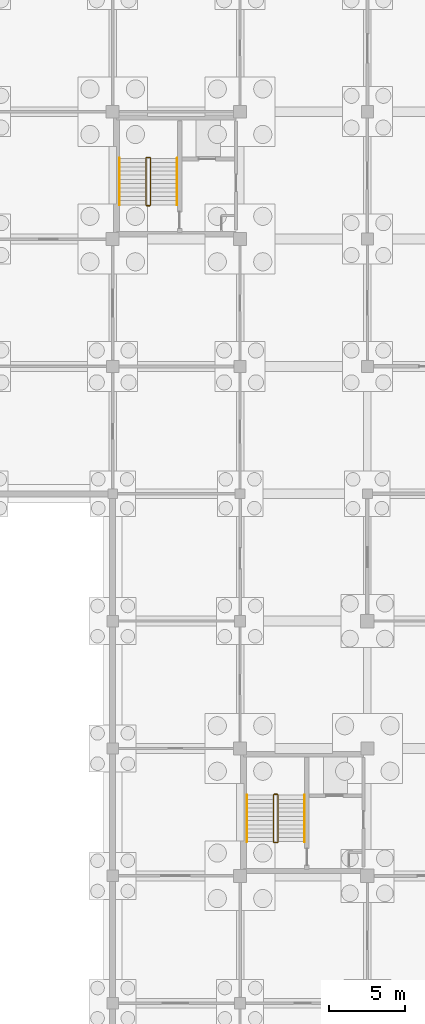
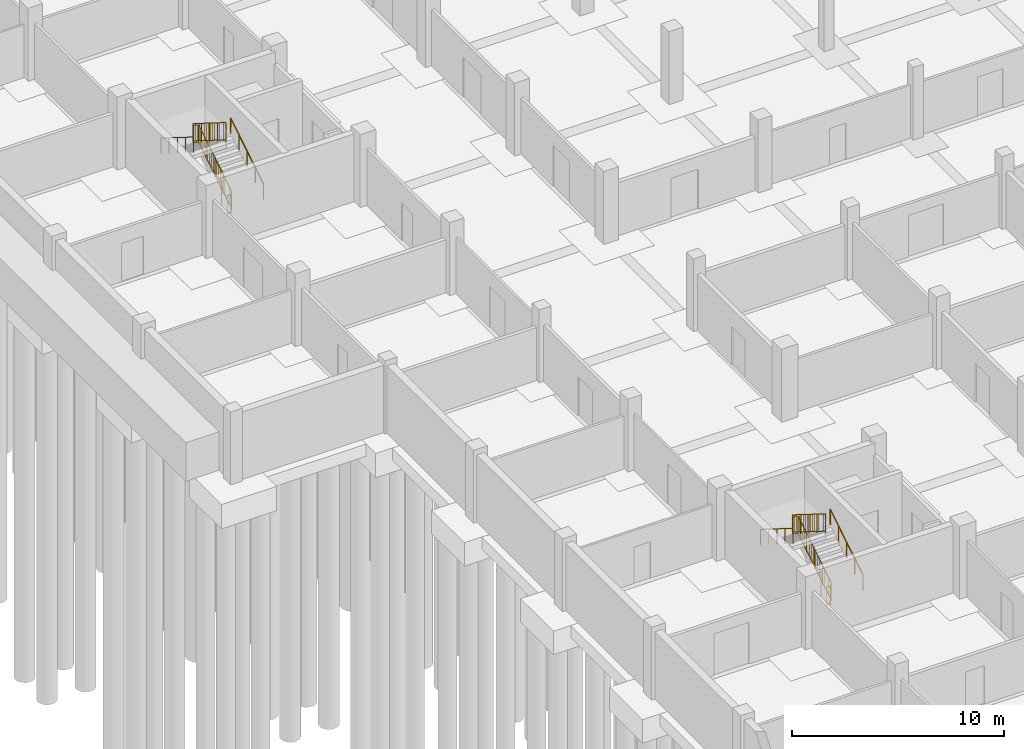
# One storey, part 39 of 43: 12 railings.
"""IFC4 building model written with IfcOpenShell, lengths in metres."""

import ifcopenshell
import ifcopenshell.guid

model = None  # the IFC model being written
_history = None  # IfcOwnerHistory: only IFC2X3 demands one
_inside = {}  # id of a spatial element -> (the spatial element, [elements in it])
_under = {}  # id of a project, library or spatial element -> (it, [spatial elements below it])
_declared = {}  # id of a project -> (the project, [libraries it declares])
_typed = {}  # id of a type object -> (the type object, [elements of that type])
_made_of = {}  # id of a material, layer set ... -> (it, [elements and type objects made of it])


def new_model(schema):
    """Start an empty IFC model of exactly this schema.

    Asked for "IFC4X3", IfcOpenShell would pick the latest addendum, in which some entities
    have other attributes; the version numbers below select the first issue.
    IFC2X3 requires an IfcOwnerHistory on every rooted entity: one is made here for all.
    """
    global model, _history
    if schema == "IFC4X3":
        model = ifcopenshell.file(schema_version=(4, 3, 0, 0))
    else:
        model = ifcopenshell.file(schema=schema)
    _inside.clear()
    _under.clear()
    _declared.clear()
    _typed.clear()
    _made_of.clear()
    _history = None
    if model.schema == "IFC2X3":
        org = make("IfcOrganization", Name="unknown")
        user = make(
            "IfcPersonAndOrganization",
            ThePerson=make("IfcPerson", FamilyName="unknown"),
            TheOrganization=org,
        )
        app = make(
            "IfcApplication",
            ApplicationDeveloper=org,
            Version="unknown",
            ApplicationFullName="unknown",
            ApplicationIdentifier="unknown",
        )
        _history = make(
            "IfcOwnerHistory",
            OwningUser=user,
            OwningApplication=app,
            ChangeAction="ADDED",
            CreationDate=0,
        )
    return model


def make(cls, **values):
    """One entity of the class cls with the attributes given. An attribute that is None is left unset."""
    return model.create_entity(
        cls, **{name: value for name, value in values.items() if value is not None}
    )


def rooted(cls, **values):
    """An entity with a GlobalId (a new one), such as an element, a storey or a relation."""
    return make(cls, GlobalId=ifcopenshell.guid.new(), OwnerHistory=_history, **values)


def si_unit(unit_type, name, prefix=None):
    """IfcSIUnit, for example si_unit("LENGTHUNIT", "METRE", prefix="MILLI")."""
    return make("IfcSIUnit", UnitType=unit_type, Prefix=prefix, Name=name)


def assignment(units):
    """IfcUnitAssignment: the units of a project."""
    return None if units is None else make("IfcUnitAssignment", Units=units)


def point(xyz):
    """IfcCartesianPoint."""
    return None if xyz is None else make("IfcCartesianPoint", Coordinates=xyz)


def direction(xyz):
    """IfcDirection."""
    return None if xyz is None else make("IfcDirection", DirectionRatios=xyz)


def frame(location, z_axis=None, x_axis=None):
    """IfcAxis2Placement3D, a coordinate frame: its origin and axes. An axis left out is left unset."""
    return make(
        "IfcAxis2Placement3D",
        Location=point(location),
        Axis=direction(z_axis),
        RefDirection=direction(x_axis),
    )


def frame_2d(location, x_axis=None):
    """IfcAxis2Placement2D, a coordinate frame in the plane: its origin and x axis."""
    return make(
        "IfcAxis2Placement2D", Location=point(location), RefDirection=direction(x_axis)
    )


def origin():
    """The frame at (0, 0, 0) with its axes left unset."""
    return frame((0.0, 0.0, 0.0))


def origin_2d():
    """The frame at (0, 0) in the plane with its x axis left unset."""
    return frame_2d((0.0, 0.0))


def place(relative_to, where):
    """IfcLocalPlacement: puts the frame where relative to a parent placement (None: the world)."""
    return make(
        "IfcLocalPlacement", PlacementRelTo=relative_to, RelativePlacement=where
    )


def context(
    kind, dimensions, precision=None, world=None, true_north=None, identifier=None
):
    """IfcGeometricRepresentationContext, for example the 3D "Model" context."""
    return make(
        "IfcGeometricRepresentationContext",
        ContextIdentifier=identifier,
        ContextType=kind,
        CoordinateSpaceDimension=dimensions,
        Precision=precision,
        WorldCoordinateSystem=world,
        TrueNorth=true_north,
    )


def subcontext(parent, identifier, kind, view, scale=None):
    """IfcGeometricRepresentationSubContext, for example "Body" below "Model"."""
    return make(
        "IfcGeometricRepresentationSubContext",
        ContextIdentifier=identifier,
        ContextType=kind,
        ParentContext=parent,
        TargetScale=scale,
        TargetView=view,
    )


def project(units=None, contexts=None):
    """IfcProject with its units and contexts."""
    return rooted(
        "IfcProject",
        Name="project",
        RepresentationContexts=contexts,
        UnitsInContext=assignment(units),
    )


def spatial(cls, under=None, at=None, **own):
    """A site, building, storey or space (cls), placed at a placement, below another one or the project."""
    s = rooted(cls, ObjectPlacement=at, **own)
    if under is not None:
        _under.setdefault(under.id(), (under, []))[1].append(s)
    return s


def profile(cls, at=None, kind="AREA", **sizes):
    """A parametric profile (cls). Its sizes go by their IFC names, for example OverallWidth=200.0."""
    return make(cls, ProfileType=kind, Position=at, **sizes)


def circle(**sizes):
    """IfcCircleProfileDef."""
    return profile("IfcCircleProfileDef", **sizes)


def extrude(swept, where, along, depth):
    """IfcExtrudedAreaSolid: the profile swept, set in the frame where, extruded along a direction by depth."""
    return make(
        "IfcExtrudedAreaSolid",
        SweptArea=swept,
        Position=where,
        ExtrudedDirection=direction(along),
        Depth=depth,
    )


def shape(context_of_items, identifier, shape_type, items):
    """IfcShapeRepresentation: the items that make up one representation, for example the "Body"."""
    return make(
        "IfcShapeRepresentation",
        ContextOfItems=context_of_items,
        RepresentationIdentifier=identifier,
        RepresentationType=shape_type,
        Items=items,
    )


def material(Name=None, Category=None):
    """IfcMaterial."""
    return make("IfcMaterial", Name=Name, Category=Category)


def made_of(thing, what):
    """Note that an element or type object is made of a material, layer set ...; save() writes the relation."""
    if what is not None:
        _made_of.setdefault(what.id(), (what, []))[1].append(thing)
    return thing


def type_object(cls, material=None, **own):
    """A type object (cls), such as IfcWallType, which elements share."""
    return made_of(rooted(cls, **own), material)


def element(
    cls,
    number,
    at=None,
    inside=None,
    cuts=None,
    type_object=None,
    material=None,
    context=None,
    identifier="Body",
    shape_type=None,
    held_by="IfcProductDefinitionShape",
    body=None,
    shapes=None,
    **own,
):
    """One element of the class cls, such as IfcWall. Its Tag is "e" and its number.

    at: its placement. inside: the storey or other place that contains it. cuts: it is an
    opening in that element (IfcRelVoidsElement). A single representation is given by context,
    identifier, shape_type and body (its items); several are given by shapes. held_by: the class
    of the entity that holds the representations. save() writes the other relations.
    """
    e = rooted(cls, Tag="e%d" % number, ObjectPlacement=at, **own)
    if body is not None:
        shapes = [shape(context, identifier, shape_type, body)]
    if shapes is not None:
        e.Representation = make(held_by, Representations=shapes)
    if inside is not None:
        _inside.setdefault(inside.id(), (inside, []))[1].append(e)
    if cuts is not None:
        rooted(
            "IfcRelVoidsElement", RelatingBuildingElement=cuts, RelatedOpeningElement=e
        )
    if type_object is not None:
        _typed.setdefault(type_object.id(), (type_object, []))[1].append(e)
    return made_of(e, material)


def aggregate(whole, parts):
    """IfcRelAggregates: a whole, such as a stair, and the parts it consists of."""
    return rooted("IfcRelAggregates", RelatingObject=whole, RelatedObjects=parts)


def save(model, path):
    """Write the relations noted so far, then the file.

    IfcRelAggregates (storeys below a building ...), IfcRelContainedInSpatialStructure (elements
    in a storey), IfcRelDefinesByType, IfcRelAssociatesMaterial and IfcRelDeclares: one each for
    every whole, place, type object, material and project.
    """
    for whole, parts in _under.values():
        aggregate(whole, parts)
    for where, things in _inside.values():
        rooted(
            "IfcRelContainedInSpatialStructure",
            RelatedElements=things,
            RelatingStructure=where,
        )
    for kind, things in _typed.values():
        rooted("IfcRelDefinesByType", RelatedObjects=things, RelatingType=kind)
    for what, things in _made_of.values():
        rooted("IfcRelAssociatesMaterial", RelatedObjects=things, RelatingMaterial=what)
    for by, libraries in _declared.values():
        rooted("IfcRelDeclares", RelatingContext=by, RelatedDefinitions=libraries)
    model.write(path)


model = new_model("IFC4")

# Units and contexts
model_context = context("Model", 3, precision=1e-05, world=origin(), true_north=direction((0.0, 1.0)))
body_context = subcontext(model_context, "Body", "Model", "MODEL_VIEW")
ifc_project = project(units=[si_unit("LENGTHUNIT", "METRE"), si_unit("AREAUNIT", "SQUARE_METRE"), si_unit("VOLUMEUNIT", "CUBIC_METRE"), si_unit("PLANEANGLEUNIT", "RADIAN"), si_unit("MASSUNIT", "GRAM", prefix="KILO")], contexts=[model_context])

# Site, building, storey
site_placement = place(None, origin())
site = spatial("IfcSite", under=ifc_project, at=site_placement, CompositionType="ELEMENT")
building_placement = place(site_placement, origin())
building = spatial("IfcBuilding", under=site, at=building_placement, Name="Varnapada Polytechnic", CompositionType="ELEMENT")
storey_placement = place(building_placement, frame((0.0, 0.0, -4.199951171875)))
storey = spatial("IfcBuildingStorey", under=building, at=storey_placement, Name="B1", CompositionType="ELEMENT", Elevation=-4.199951171875)

# Railings
ifc_material = material(Name="Brushed Stainless Steel 316", Category="steel")
railing_type_1 = type_object("IfcRailingType", Name="Stair Wall Handrail SHR-01", PredefinedType="HANDRAIL", material=ifc_material)
railing_1_placement = place(storey_placement, frame((12.64990234375, 61.050048828125, 0.175048828125)))
element("IfcRailing", 1, at=railing_1_placement, inside=storey, type_object=railing_type_1, Name="B1 ST-2 stair handrail 1", PredefinedType="HANDRAIL", context=body_context, shape_type="SweptSolid", body=[
    extrude(circle(Radius=0.02392578125, at=origin_2d()), frame((0.0, 0.0, 0.8759765625), z_axis=(0.0, 0.848009633417, 0.529980812513), x_axis=(-1.0, 0.0, 0.0)), (0.0, 0.0, 1.0), 3.6318359375),
    extrude(circle(Radius=0.02099609375, at=origin_2d()), origin(), (0.0, 0.0, 1.0), 0.851806640625),
    extrude(circle(Radius=0.02099609375, at=origin_2d()), frame((0.0, 0.77001953125, 0.481201171875)), (0.0, 0.0, 1.0), 0.851806640625),
    extrude(circle(Radius=0.02099609375, at=origin_2d()), frame((0.0, 1.5400390625, 0.96240234375)), (0.0, 0.0, 1.0), 0.851806640625),
    extrude(circle(Radius=0.02099609375, at=origin_2d()), frame((0.0, 2.309814453125, 1.443603515625)), (0.0, 0.0, 1.0), 0.851806640625),
    extrude(circle(Radius=0.02099609375, at=origin_2d()), frame((0.0, 3.079833984375, 1.9248046875)), (0.0, 0.0, 1.0), 0.851806640625),
])
railing_2_placement = place(storey_placement, frame((8.85009765625, 64.1298828125, 2.27490234375)))
element("IfcRailing", 2, at=railing_2_placement, inside=storey, type_object=railing_type_1, Name="B1 ST-2 stair handrail 2", PredefinedType="HANDRAIL", context=body_context, shape_type="SweptSolid", body=[
    extrude(circle(Radius=0.02392578125, at=origin_2d()), frame((0.0, 0.0, 0.8759765625), z_axis=(0.0, -0.847979421464, 0.530029150871), x_axis=(1.0, 0.0, 0.0)), (0.0, 0.0, 1.0), 3.632080078125),
    extrude(circle(Radius=0.02099609375, at=origin_2d()), origin(), (0.0, 0.0, 1.0), 0.851806640625),
    extrude(circle(Radius=0.02099609375, at=origin_2d()), frame((0.0, -0.77001953125, 0.481201171875)), (0.0, 0.0, 1.0), 0.851806640625),
    extrude(circle(Radius=0.02099609375, at=origin_2d()), frame((0.0, -1.5400390625, 0.96240234375)), (0.0, 0.0, 1.0), 0.851806640625),
    extrude(circle(Radius=0.02099609375, at=origin_2d()), frame((0.0, -2.309814453125, 1.44384765625)), (0.0, 0.0, 1.0), 0.851806640625),
    extrude(circle(Radius=0.02099609375, at=origin_2d()), frame((0.0, -3.079833984375, 1.925048828125)), (0.0, 0.0, 1.0), 0.851806640625),
])
railing_3_placement = place(storey_placement, frame((21.050048828125, 19.050048828125, 0.175048828125)))
element("IfcRailing", 3, at=railing_3_placement, inside=storey, type_object=railing_type_1, Name="B1 ST-3 stair handrail 1", PredefinedType="HANDRAIL", context=body_context, shape_type="SweptSolid", body=[
    extrude(circle(Radius=0.02392578125, at=origin_2d()), frame((0.0, 0.0, 0.8759765625), z_axis=(0.0, 0.848009633417, 0.529980812513), x_axis=(-1.0, 0.0, 0.0)), (0.0, 0.0, 1.0), 3.6318359375),
    extrude(circle(Radius=0.02099609375, at=origin_2d()), origin(), (0.0, 0.0, 1.0), 0.851806640625),
    extrude(circle(Radius=0.02099609375, at=origin_2d()), frame((0.0, 0.77001953125, 0.481201171875)), (0.0, 0.0, 1.0), 0.851806640625),
    extrude(circle(Radius=0.02099609375, at=origin_2d()), frame((0.0, 1.5400390625, 0.96240234375)), (0.0, 0.0, 1.0), 0.851806640625),
    extrude(circle(Radius=0.02099609375, at=origin_2d()), frame((0.0, 2.309814453125, 1.443603515625)), (0.0, 0.0, 1.0), 0.851806640625),
    extrude(circle(Radius=0.02099609375, at=origin_2d()), frame((0.0, 3.079833984375, 1.9248046875)), (0.0, 0.0, 1.0), 0.851806640625),
])
railing_4_placement = place(storey_placement, frame((17.25, 22.1298828125, 2.27490234375)))
element("IfcRailing", 4, at=railing_4_placement, inside=storey, type_object=railing_type_1, Name="B1 ST-3 stair handrail 2", PredefinedType="HANDRAIL", context=body_context, shape_type="SweptSolid", body=[
    extrude(circle(Radius=0.02392578125, at=origin_2d()), frame((0.0, 0.0, 0.8759765625), z_axis=(0.0, -0.847979421464, 0.530029150871), x_axis=(1.0, 0.0, 0.0)), (0.0, 0.0, 1.0), 3.632080078125),
    extrude(circle(Radius=0.02099609375, at=origin_2d()), origin(), (0.0, 0.0, 1.0), 0.851806640625),
    extrude(circle(Radius=0.02099609375, at=origin_2d()), frame((0.0, -0.77001953125, 0.481201171875)), (0.0, 0.0, 1.0), 0.851806640625),
    extrude(circle(Radius=0.02099609375, at=origin_2d()), frame((0.0, -1.5400390625, 0.96240234375)), (0.0, 0.0, 1.0), 0.851806640625),
    extrude(circle(Radius=0.02099609375, at=origin_2d()), frame((0.0, -2.309814453125, 1.44384765625)), (0.0, 0.0, 1.0), 0.851806640625),
    extrude(circle(Radius=0.02099609375, at=origin_2d()), frame((0.0, -3.079833984375, 1.925048828125)), (0.0, 0.0, 1.0), 0.851806640625),
])
railing_type_2 = type_object("IfcRailingType", Name="Stair Well Guard Rail SGR-01", PredefinedType="BALUSTRADE", material=ifc_material)
railing_5_placement = place(storey_placement, frame((10.89990234375, 61.050048828125, 0.175048828125)))
element("IfcRailing", 5, at=railing_5_placement, inside=storey, type_object=railing_type_2, Name="B1 ST-2 stair guard 1", PredefinedType="BALUSTRADE", context=body_context, shape_type="SweptSolid", body=[
    extrude(circle(Radius=0.02392578125, at=origin_2d()), frame((0.0, 0.0, 1.09619140625), z_axis=(0.0, 0.848009633417, 0.529980812513), x_axis=(-1.0, 0.0, 0.0)), (0.0, 0.0, 1.0), 3.6318359375),
    extrude(circle(Radius=0.02392578125, at=origin_2d()), frame((0.0, 0.0, 0.10009765625), z_axis=(0.0, 0.848009633417, 0.529980812513), x_axis=(-1.0, 0.0, 0.0)), (0.0, 0.0, 1.0), 3.6318359375),
    extrude(circle(Radius=0.02099609375, at=origin_2d()), origin(), (0.0, 0.0, 1.0), 1.072021484375),
    extrude(circle(Radius=0.02099609375, at=origin_2d()), frame((0.0, 0.77001953125, 0.481201171875)), (0.0, 0.0, 1.0), 1.072021484375),
    extrude(circle(Radius=0.02099609375, at=origin_2d()), frame((0.0, 1.5400390625, 0.96240234375)), (0.0, 0.0, 1.0), 1.072021484375),
    extrude(circle(Radius=0.02099609375, at=origin_2d()), frame((0.0, 2.309814453125, 1.443603515625)), (0.0, 0.0, 1.0), 1.072021484375),
    extrude(circle(Radius=0.02099609375, at=origin_2d()), frame((0.0, 3.079833984375, 1.9248046875)), (0.0, 0.0, 1.0), 1.072021484375),
    extrude(circle(Radius=0.010009765625, at=origin_2d()), frame((0.0, 0.205322265625, 0.228515625)), (0.0, 0.0, 1.0), 0.971923828125),
    extrude(circle(Radius=0.010009765625, at=origin_2d()), frame((0.0, 0.41064453125, 0.356689453125)), (0.0, 0.0, 1.0), 0.971923828125),
    extrude(circle(Radius=0.010009765625, at=origin_2d()), frame((0.0, 0.615966796875, 0.485107421875)), (0.0, 0.0, 1.0), 0.971923828125),
    extrude(circle(Radius=0.010009765625, at=origin_2d()), frame((0.0, 0.8212890625, 0.61328125)), (0.0, 0.0, 1.0), 0.971923828125),
    extrude(circle(Radius=0.010009765625, at=origin_2d()), frame((0.0, 1.026611328125, 0.74169921875)), (0.0, 0.0, 1.0), 0.971923828125),
    extrude(circle(Radius=0.010009765625, at=origin_2d()), frame((0.0, 1.23193359375, 0.8701171875)), (0.0, 0.0, 1.0), 0.971923828125),
    extrude(circle(Radius=0.010009765625, at=origin_2d()), frame((0.0, 1.437255859375, 0.998291015625)), (0.0, 0.0, 1.0), 0.971923828125),
    extrude(circle(Radius=0.010009765625, at=origin_2d()), frame((0.0, 1.642578125, 1.126708984375)), (0.0, 0.0, 1.0), 0.971923828125),
    extrude(circle(Radius=0.010009765625, at=origin_2d()), frame((0.0, 1.847900390625, 1.2548828125)), (0.0, 0.0, 1.0), 0.971923828125),
    extrude(circle(Radius=0.010009765625, at=origin_2d()), frame((0.0, 2.05322265625, 1.38330078125)), (0.0, 0.0, 1.0), 0.971923828125),
    extrude(circle(Radius=0.010009765625, at=origin_2d()), frame((0.0, 2.258544921875, 1.51171875)), (0.0, 0.0, 1.0), 0.971923828125),
    extrude(circle(Radius=0.010009765625, at=origin_2d()), frame((0.0, 2.4638671875, 1.639892578125)), (0.0, 0.0, 1.0), 0.971923828125),
    extrude(circle(Radius=0.010009765625, at=origin_2d()), frame((0.0, 2.669189453125, 1.768310546875)), (0.0, 0.0, 1.0), 0.971923828125),
    extrude(circle(Radius=0.010009765625, at=origin_2d()), frame((0.0, 2.87451171875, 1.896484375)), (0.0, 0.0, 1.0), 0.971923828125),
])
railing_6_placement = place(storey_placement, frame((10.85009765625, 64.179931640625, 2.099853515625)))
element("IfcRailing", 6, at=railing_6_placement, inside=storey, type_object=railing_type_2, Name="B1 ST-2 stair guard 2", PredefinedType="BALUSTRADE", context=body_context, shape_type="SweptSolid", body=[
    extrude(circle(Radius=0.02392578125, at=origin_2d()), frame((0.0, 0.0, 1.09619140625), z_axis=(-1.0, 0.0, 0.0), x_axis=(0.0, -1.0, 0.0)), (0.0, 0.0, 1.0), 0.2001953125),
    extrude(circle(Radius=0.02392578125, at=origin_2d()), frame((0.0, 0.0, 0.10009765625), z_axis=(-1.0, 0.0, 0.0), x_axis=(0.0, -1.0, 0.0)), (0.0, 0.0, 1.0), 0.2001953125),
    extrude(circle(Radius=0.02099609375, at=origin_2d()), origin(), (0.0, 0.0, 1.0), 1.072021484375),
    extrude(circle(Radius=0.02099609375, at=origin_2d()), frame((-0.2001953125, 0.0, 0.0)), (0.0, 0.0, 1.0), 1.072021484375),
])
railing_7_placement = place(storey_placement, frame((10.60009765625, 64.1298828125, 2.27490234375)))
element("IfcRailing", 7, at=railing_7_placement, inside=storey, type_object=railing_type_2, Name="B1 ST-2 stair guard 3", PredefinedType="BALUSTRADE", context=body_context, shape_type="SweptSolid", body=[
    extrude(circle(Radius=0.02392578125, at=origin_2d()), frame((0.0, 0.0, 1.09619140625), z_axis=(0.0, -0.847979421464, 0.530029150871), x_axis=(1.0, 0.0, 0.0)), (0.0, 0.0, 1.0), 3.632080078125),
    extrude(circle(Radius=0.02392578125, at=origin_2d()), frame((0.0, 0.0, 0.10009765625), z_axis=(0.0, -0.847979421464, 0.530029150871), x_axis=(1.0, 0.0, 0.0)), (0.0, 0.0, 1.0), 3.632080078125),
    extrude(circle(Radius=0.02099609375, at=origin_2d()), origin(), (0.0, 0.0, 1.0), 1.072021484375),
    extrude(circle(Radius=0.02099609375, at=origin_2d()), frame((0.0, -0.77001953125, 0.481201171875)), (0.0, 0.0, 1.0), 1.072021484375),
    extrude(circle(Radius=0.02099609375, at=origin_2d()), frame((0.0, -1.5400390625, 0.96240234375)), (0.0, 0.0, 1.0), 1.072021484375),
    extrude(circle(Radius=0.02099609375, at=origin_2d()), frame((0.0, -2.309814453125, 1.44384765625)), (0.0, 0.0, 1.0), 1.072021484375),
    extrude(circle(Radius=0.02099609375, at=origin_2d()), frame((0.0, -3.079833984375, 1.925048828125)), (0.0, 0.0, 1.0), 1.072021484375),
    extrude(circle(Radius=0.010009765625, at=origin_2d()), frame((0.0, -0.205322265625, 0.228515625)), (0.0, 0.0, 1.0), 0.971923828125),
    extrude(circle(Radius=0.010009765625, at=origin_2d()), frame((0.0, -0.41064453125, 0.356689453125)), (0.0, 0.0, 1.0), 0.971923828125),
    extrude(circle(Radius=0.010009765625, at=origin_2d()), frame((0.0, -0.615966796875, 0.485107421875)), (0.0, 0.0, 1.0), 0.971923828125),
    extrude(circle(Radius=0.010009765625, at=origin_2d()), frame((0.0, -0.8212890625, 0.613525390625)), (0.0, 0.0, 1.0), 0.971923828125),
    extrude(circle(Radius=0.010009765625, at=origin_2d()), frame((0.0, -1.026611328125, 0.74169921875)), (0.0, 0.0, 1.0), 0.971923828125),
    extrude(circle(Radius=0.010009765625, at=origin_2d()), frame((0.0, -1.23193359375, 0.8701171875)), (0.0, 0.0, 1.0), 0.971923828125),
    extrude(circle(Radius=0.010009765625, at=origin_2d()), frame((0.0, -1.437255859375, 0.99853515625)), (0.0, 0.0, 1.0), 0.971923828125),
    extrude(circle(Radius=0.010009765625, at=origin_2d()), frame((0.0, -1.642578125, 1.126708984375)), (0.0, 0.0, 1.0), 0.971923828125),
    extrude(circle(Radius=0.010009765625, at=origin_2d()), frame((0.0, -1.847900390625, 1.255126953125)), (0.0, 0.0, 1.0), 0.971923828125),
    extrude(circle(Radius=0.010009765625, at=origin_2d()), frame((0.0, -2.05322265625, 1.383544921875)), (0.0, 0.0, 1.0), 0.971923828125),
    extrude(circle(Radius=0.010009765625, at=origin_2d()), frame((0.0, -2.258544921875, 1.51171875)), (0.0, 0.0, 1.0), 0.971923828125),
    extrude(circle(Radius=0.010009765625, at=origin_2d()), frame((0.0, -2.4638671875, 1.64013671875)), (0.0, 0.0, 1.0), 0.971923828125),
    extrude(circle(Radius=0.010009765625, at=origin_2d()), frame((0.0, -2.669189453125, 1.7685546875)), (0.0, 0.0, 1.0), 0.971923828125),
    extrude(circle(Radius=0.010009765625, at=origin_2d()), frame((0.0, -2.87451171875, 1.896728515625)), (0.0, 0.0, 1.0), 0.971923828125),
])
railing_8_placement = place(storey_placement, frame((10.85009765625, 61.0, 0.0)))
element("IfcRailing", 8, at=railing_8_placement, inside=storey, type_object=railing_type_2, Name="B1 ST-2 stair guard 4", PredefinedType="BALUSTRADE", context=body_context, shape_type="SweptSolid", body=[
    extrude(circle(Radius=0.02392578125, at=origin_2d()), frame((0.0, 0.0, 1.09619140625), z_axis=(-1.0, 0.0, 0.0), x_axis=(0.0, -1.0, 0.0)), (0.0, 0.0, 1.0), 0.2001953125),
    extrude(circle(Radius=0.02392578125, at=origin_2d()), frame((0.0, 0.0, 0.10009765625), z_axis=(-1.0, 0.0, 0.0), x_axis=(0.0, -1.0, 0.0)), (0.0, 0.0, 1.0), 0.2001953125),
    extrude(circle(Radius=0.02099609375, at=origin_2d()), origin(), (0.0, 0.0, 1.0), 1.072021484375),
    extrude(circle(Radius=0.02099609375, at=origin_2d()), frame((-0.2001953125, 0.0, 0.0)), (0.0, 0.0, 1.0), 1.072021484375),
])
railing_9_placement = place(storey_placement, frame((19.300048828125, 19.050048828125, 0.175048828125)))
element("IfcRailing", 9, at=railing_9_placement, inside=storey, type_object=railing_type_2, Name="B1 ST-3 stair guard 1", PredefinedType="BALUSTRADE", context=body_context, shape_type="SweptSolid", body=[
    extrude(circle(Radius=0.02392578125, at=origin_2d()), frame((0.0, 0.0, 1.09619140625), z_axis=(0.0, 0.848009633417, 0.529980812513), x_axis=(-1.0, 0.0, 0.0)), (0.0, 0.0, 1.0), 3.6318359375),
    extrude(circle(Radius=0.02392578125, at=origin_2d()), frame((0.0, 0.0, 0.10009765625), z_axis=(0.0, 0.848009633417, 0.529980812513), x_axis=(-1.0, 0.0, 0.0)), (0.0, 0.0, 1.0), 3.6318359375),
    extrude(circle(Radius=0.02099609375, at=origin_2d()), origin(), (0.0, 0.0, 1.0), 1.072021484375),
    extrude(circle(Radius=0.02099609375, at=origin_2d()), frame((0.0, 0.77001953125, 0.481201171875)), (0.0, 0.0, 1.0), 1.072021484375),
    extrude(circle(Radius=0.02099609375, at=origin_2d()), frame((0.0, 1.5400390625, 0.96240234375)), (0.0, 0.0, 1.0), 1.072021484375),
    extrude(circle(Radius=0.02099609375, at=origin_2d()), frame((0.0, 2.309814453125, 1.443603515625)), (0.0, 0.0, 1.0), 1.072021484375),
    extrude(circle(Radius=0.02099609375, at=origin_2d()), frame((0.0, 3.079833984375, 1.9248046875)), (0.0, 0.0, 1.0), 1.072021484375),
    extrude(circle(Radius=0.010009765625, at=origin_2d()), frame((0.0, 0.205322265625, 0.228515625)), (0.0, 0.0, 1.0), 0.971923828125),
    extrude(circle(Radius=0.010009765625, at=origin_2d()), frame((0.0, 0.41064453125, 0.356689453125)), (0.0, 0.0, 1.0), 0.971923828125),
    extrude(circle(Radius=0.010009765625, at=origin_2d()), frame((0.0, 0.615966796875, 0.485107421875)), (0.0, 0.0, 1.0), 0.971923828125),
    extrude(circle(Radius=0.010009765625, at=origin_2d()), frame((0.0, 0.8212890625, 0.61328125)), (0.0, 0.0, 1.0), 0.971923828125),
    extrude(circle(Radius=0.010009765625, at=origin_2d()), frame((0.0, 1.026611328125, 0.74169921875)), (0.0, 0.0, 1.0), 0.971923828125),
    extrude(circle(Radius=0.010009765625, at=origin_2d()), frame((0.0, 1.23193359375, 0.8701171875)), (0.0, 0.0, 1.0), 0.971923828125),
    extrude(circle(Radius=0.010009765625, at=origin_2d()), frame((0.0, 1.437255859375, 0.998291015625)), (0.0, 0.0, 1.0), 0.971923828125),
    extrude(circle(Radius=0.010009765625, at=origin_2d()), frame((0.0, 1.642578125, 1.126708984375)), (0.0, 0.0, 1.0), 0.971923828125),
    extrude(circle(Radius=0.010009765625, at=origin_2d()), frame((0.0, 1.847900390625, 1.2548828125)), (0.0, 0.0, 1.0), 0.971923828125),
    extrude(circle(Radius=0.010009765625, at=origin_2d()), frame((0.0, 2.05322265625, 1.38330078125)), (0.0, 0.0, 1.0), 0.971923828125),
    extrude(circle(Radius=0.010009765625, at=origin_2d()), frame((0.0, 2.258544921875, 1.51171875)), (0.0, 0.0, 1.0), 0.971923828125),
    extrude(circle(Radius=0.010009765625, at=origin_2d()), frame((0.0, 2.4638671875, 1.639892578125)), (0.0, 0.0, 1.0), 0.971923828125),
    extrude(circle(Radius=0.010009765625, at=origin_2d()), frame((0.0, 2.669189453125, 1.768310546875)), (0.0, 0.0, 1.0), 0.971923828125),
    extrude(circle(Radius=0.010009765625, at=origin_2d()), frame((0.0, 2.87451171875, 1.896484375)), (0.0, 0.0, 1.0), 0.971923828125),
])
railing_10_placement = place(storey_placement, frame((19.25, 22.179931640625, 2.099853515625)))
element("IfcRailing", 10, at=railing_10_placement, inside=storey, type_object=railing_type_2, Name="B1 ST-3 stair guard 2", PredefinedType="BALUSTRADE", context=body_context, shape_type="SweptSolid", body=[
    extrude(circle(Radius=0.02392578125, at=origin_2d()), frame((0.0, 0.0, 1.09619140625), z_axis=(-1.0, 0.0, 0.0), x_axis=(0.0, -1.0, 0.0)), (0.0, 0.0, 1.0), 0.199951171875),
    extrude(circle(Radius=0.02392578125, at=origin_2d()), frame((0.0, 0.0, 0.10009765625), z_axis=(-1.0, 0.0, 0.0), x_axis=(0.0, -1.0, 0.0)), (0.0, 0.0, 1.0), 0.199951171875),
    extrude(circle(Radius=0.02099609375, at=origin_2d()), origin(), (0.0, 0.0, 1.0), 1.072021484375),
    extrude(circle(Radius=0.02099609375, at=origin_2d()), frame((-0.199951171875, 0.0, 0.0)), (0.0, 0.0, 1.0), 1.072021484375),
])
railing_11_placement = place(storey_placement, frame((19.0, 22.1298828125, 2.27490234375)))
element("IfcRailing", 11, at=railing_11_placement, inside=storey, type_object=railing_type_2, Name="B1 ST-3 stair guard 3", PredefinedType="BALUSTRADE", context=body_context, shape_type="SweptSolid", body=[
    extrude(circle(Radius=0.02392578125, at=origin_2d()), frame((0.0, 0.0, 1.09619140625), z_axis=(0.0, -0.847979421464, 0.530029150871), x_axis=(1.0, 0.0, 0.0)), (0.0, 0.0, 1.0), 3.632080078125),
    extrude(circle(Radius=0.02392578125, at=origin_2d()), frame((0.0, 0.0, 0.10009765625), z_axis=(0.0, -0.847979421464, 0.530029150871), x_axis=(1.0, 0.0, 0.0)), (0.0, 0.0, 1.0), 3.632080078125),
    extrude(circle(Radius=0.02099609375, at=origin_2d()), origin(), (0.0, 0.0, 1.0), 1.072021484375),
    extrude(circle(Radius=0.02099609375, at=origin_2d()), frame((0.0, -0.77001953125, 0.481201171875)), (0.0, 0.0, 1.0), 1.072021484375),
    extrude(circle(Radius=0.02099609375, at=origin_2d()), frame((0.0, -1.5400390625, 0.96240234375)), (0.0, 0.0, 1.0), 1.072021484375),
    extrude(circle(Radius=0.02099609375, at=origin_2d()), frame((0.0, -2.309814453125, 1.44384765625)), (0.0, 0.0, 1.0), 1.072021484375),
    extrude(circle(Radius=0.02099609375, at=origin_2d()), frame((0.0, -3.079833984375, 1.925048828125)), (0.0, 0.0, 1.0), 1.072021484375),
    extrude(circle(Radius=0.010009765625, at=origin_2d()), frame((0.0, -0.205322265625, 0.228515625)), (0.0, 0.0, 1.0), 0.971923828125),
    extrude(circle(Radius=0.010009765625, at=origin_2d()), frame((0.0, -0.41064453125, 0.356689453125)), (0.0, 0.0, 1.0), 0.971923828125),
    extrude(circle(Radius=0.010009765625, at=origin_2d()), frame((0.0, -0.615966796875, 0.485107421875)), (0.0, 0.0, 1.0), 0.971923828125),
    extrude(circle(Radius=0.010009765625, at=origin_2d()), frame((0.0, -0.8212890625, 0.613525390625)), (0.0, 0.0, 1.0), 0.971923828125),
    extrude(circle(Radius=0.010009765625, at=origin_2d()), frame((0.0, -1.026611328125, 0.74169921875)), (0.0, 0.0, 1.0), 0.971923828125),
    extrude(circle(Radius=0.010009765625, at=origin_2d()), frame((0.0, -1.23193359375, 0.8701171875)), (0.0, 0.0, 1.0), 0.971923828125),
    extrude(circle(Radius=0.010009765625, at=origin_2d()), frame((0.0, -1.437255859375, 0.99853515625)), (0.0, 0.0, 1.0), 0.971923828125),
    extrude(circle(Radius=0.010009765625, at=origin_2d()), frame((0.0, -1.642578125, 1.126708984375)), (0.0, 0.0, 1.0), 0.971923828125),
    extrude(circle(Radius=0.010009765625, at=origin_2d()), frame((0.0, -1.847900390625, 1.255126953125)), (0.0, 0.0, 1.0), 0.971923828125),
    extrude(circle(Radius=0.010009765625, at=origin_2d()), frame((0.0, -2.05322265625, 1.383544921875)), (0.0, 0.0, 1.0), 0.971923828125),
    extrude(circle(Radius=0.010009765625, at=origin_2d()), frame((0.0, -2.258544921875, 1.51171875)), (0.0, 0.0, 1.0), 0.971923828125),
    extrude(circle(Radius=0.010009765625, at=origin_2d()), frame((0.0, -2.4638671875, 1.64013671875)), (0.0, 0.0, 1.0), 0.971923828125),
    extrude(circle(Radius=0.010009765625, at=origin_2d()), frame((0.0, -2.669189453125, 1.7685546875)), (0.0, 0.0, 1.0), 0.971923828125),
    extrude(circle(Radius=0.010009765625, at=origin_2d()), frame((0.0, -2.87451171875, 1.896728515625)), (0.0, 0.0, 1.0), 0.971923828125),
])
railing_12_placement = place(storey_placement, frame((19.25, 19.0, 0.0)))
element("IfcRailing", 12, at=railing_12_placement, inside=storey, type_object=railing_type_2, Name="B1 ST-3 stair guard 4", PredefinedType="BALUSTRADE", context=body_context, shape_type="SweptSolid", body=[
    extrude(circle(Radius=0.02392578125, at=origin_2d()), frame((0.0, 0.0, 1.09619140625), z_axis=(-1.0, 0.0, 0.0), x_axis=(0.0, -1.0, 0.0)), (0.0, 0.0, 1.0), 0.199951171875),
    extrude(circle(Radius=0.02392578125, at=origin_2d()), frame((0.0, 0.0, 0.10009765625), z_axis=(-1.0, 0.0, 0.0), x_axis=(0.0, -1.0, 0.0)), (0.0, 0.0, 1.0), 0.199951171875),
    extrude(circle(Radius=0.02099609375, at=origin_2d()), origin(), (0.0, 0.0, 1.0), 1.072021484375),
    extrude(circle(Radius=0.02099609375, at=origin_2d()), frame((-0.199951171875, 0.0, 0.0)), (0.0, 0.0, 1.0), 1.072021484375),
])

save(model, "model.ifc")
